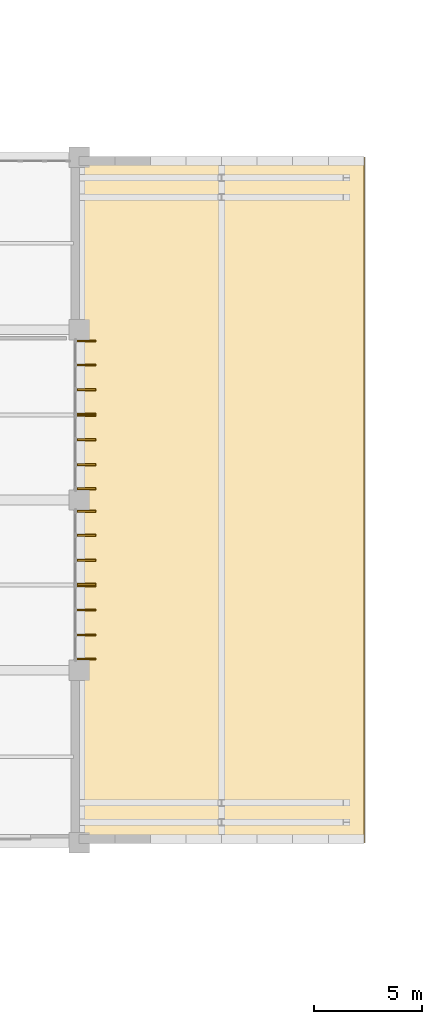
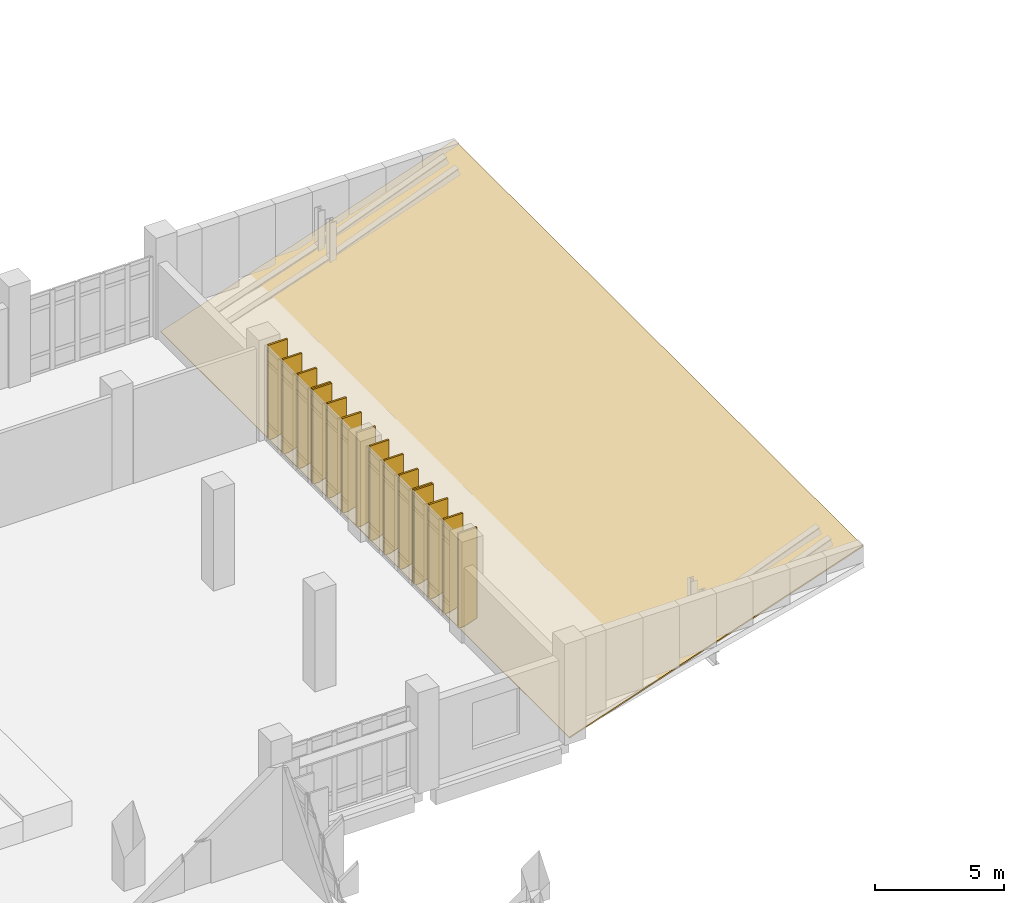
# One storey, part 90 of 90: 16 shading devices, 1 covering.
"""IFC4 building model written with IfcOpenShell, lengths in metres."""

from ifc_helpers import new_model, si_unit, direction, frame, origin, origin_2d, place, context, subcontext, project, spatial, polyline, rectangle, outline, extrude, material, layer, layer_set, type_object, element, save


model = new_model("IFC4")

# Units and contexts
model_context = context("Model", 3, precision=1e-05, world=origin(), true_north=direction((0.0, 1.0)))
body_context = subcontext(model_context, "Body", "Model", "MODEL_VIEW")
ifc_project = project(units=[si_unit("LENGTHUNIT", "METRE"), si_unit("AREAUNIT", "SQUARE_METRE"), si_unit("VOLUMEUNIT", "CUBIC_METRE"), si_unit("PLANEANGLEUNIT", "RADIAN"), si_unit("MASSUNIT", "GRAM", prefix="KILO")], contexts=[model_context])

# Site, building, storey
site_placement = place(None, origin())
site = spatial("IfcSite", under=ifc_project, at=site_placement, CompositionType="ELEMENT")
building_placement = place(site_placement, origin())
building = spatial("IfcBuilding", under=site, at=building_placement, Name="Kelarvand Opera House", CompositionType="ELEMENT")
storey_placement = place(building_placement, frame((0.0, 0.0, 5.39990234375)))
storey = spatial("IfcBuildingStorey", under=building, at=storey_placement, Name="L01", CompositionType="ELEMENT", Elevation=5.39990234375)

# Covering
ifc_material_1 = material(Name="Perforated walnut acoustic slats on steel sub-frame", Category="steel")
ifc_layer_1 = layer(ifc_material_1, 0.06005859375, Name="Perforated walnut acoustic slats on steel sub-frame", Category="steel")
ifc_layer_set_1 = layer_set([ifc_layer_1], Name="Perforated walnut acoustic slats on steel sub-frame")
covering_type = type_object("IfcCoveringType", Name="Sculpted Timber Acoustic Soffit and Hall Ceiling 60mm", PredefinedType="CEILING", material=ifc_layer_set_1)
covering_placement = place(storey_placement, frame((141.800048828125, 46.60009765625, -0.059814453125), z_axis=(-0.321388056858, 0.0, 0.946947578754), x_axis=(0.946947578754, 0.0, 0.321388056858)))
element("IfcCovering", 1, at=covering_placement, inside=storey, type_object=covering_type, Name="East Entrance Plaza Upward-Raking Cantilever Soffit Ceiling", PredefinedType="CEILING", context=body_context, shape_type="SweptSolid", body=[
    extrude(outline(polyline([(0.0, 0.0), (13.939474019498213, 0.0), (13.939474019498213, 31.799804687499996), (0.0, 31.799804687499996), (0.0, 0.0)])), origin(), (0.0, 0.0, -1.0), 0.06005859375),
])

# Shading devices
ifc_material_2 = material(Name="Bronze-framed Azarshahr travertine fin", Category="masonry")
ifc_layer_2 = layer(ifc_material_2, 0.080078125, Name="Bronze-framed Azarshahr travertine fin", Category="masonry")
ifc_layer_set_2 = layer_set([ifc_layer_2], Name="Bronze-framed Azarshahr travertine fin")
shading_device_type = type_object("IfcShadingDeviceType", Name="Vertical Travertine-Bronze Solar Fin 850x80", PredefinedType="USERDEFINED", material=ifc_layer_set_2)
for number, where, z_axis, x_axis, name in (
    (2, (142.139892578125, 69.87744140625, 0.0), (0.0, 0.0, 1.0), (1.0, 0.0, 0.0), "V1 Solar Fin 25"),
    (3, (142.139892578125, 68.76123046875, 0.0), (0.0, 0.0, 1.0), (1.0, 0.0, 0.0), "V1 Solar Fin 26"),
    (4, (142.139892578125, 67.607666015625, 0.0), (0.0, 0.0, 1.0), (1.0, 0.0, 0.0), "V1 Solar Fin 27"),
    (5, (142.139892578125, 66.491455078125, 0.0), (0.0, 0.0, 1.0), (1.0, 0.0, 0.0), "V1 Solar Fin 28"),
    (6, (142.139892578125, 66.41259765625, 0.0), (0.0, 0.0, 1.0), (1.0, 0.0, 0.0), "V1 Solar Fin 29"),
    (7, (142.139892578125, 65.294921875, 0.0), (0.0, 0.0, 1.0), (1.0, 0.0, 0.0), "V1 Solar Fin 30"),
    (8, (142.139892578125, 64.139892578125, 0.0), (0.0, 0.0, 1.0), (1.0, 0.0, 0.0), "V1 Solar Fin 31"),
    (9, (142.139892578125, 63.0224609375, 0.0), (0.0, 0.0, 1.0), (1.0, 0.0, 0.0), "V1 Solar Fin 32"),
    (10, (142.139892578125, 61.9775390625, 0.0), (0.0, 0.0, 1.0), (1.0, 0.0, 0.0), "V1 Solar Fin 33"),
    (11, (142.139892578125, 60.861328125, 0.0), (0.0, 0.0, 1.0), (1.0, 0.0, 0.0), "V1 Solar Fin 34"),
    (12, (142.139892578125, 59.707763671875, 0.0), (0.0, 0.0, 1.0), (1.0, 0.0, 0.0), "V1 Solar Fin 35"),
    (13, (142.139892578125, 58.591552734375, 0.0), (0.0, 0.0, 1.0), (1.0, 0.0, 0.0), "V1 Solar Fin 36"),
    (14, (142.139892578125, 58.512451171875, 0.0), (0.0, 0.0, 1.0), (1.0, 0.0, 0.0), "V1 Solar Fin 37"),
    (15, (142.139892578125, 57.39501953125, 0.0), (0.0, 0.0, 1.0), (1.0, 0.0, 0.0), "V1 Solar Fin 38"),
    (16, (142.139892578125, 56.239990234375, 0.0), (0.0, 0.0, 1.0), (1.0, 0.0, 0.0), "V1 Solar Fin 39"),
    (17, (142.139892578125, 55.12255859375, 0.0), (0.0, 0.0, 1.0), (1.0, 0.0, 0.0), "V1 Solar Fin 40"),
):
    element("IfcShadingDevice", number, at=place(storey_placement, frame(where, z_axis=z_axis, x_axis=x_axis)), inside=storey, type_object=shading_device_type, Name=name, ObjectType="FIN", PredefinedType="USERDEFINED", context=body_context, shape_type="SweptSolid", body=[
        extrude(rectangle(XDim=0.85009765625, YDim=0.080078125, at=origin_2d()), origin(), (0.0, 0.0, 1.0), 4.5),
    ])

save(model, "model.ifc")
